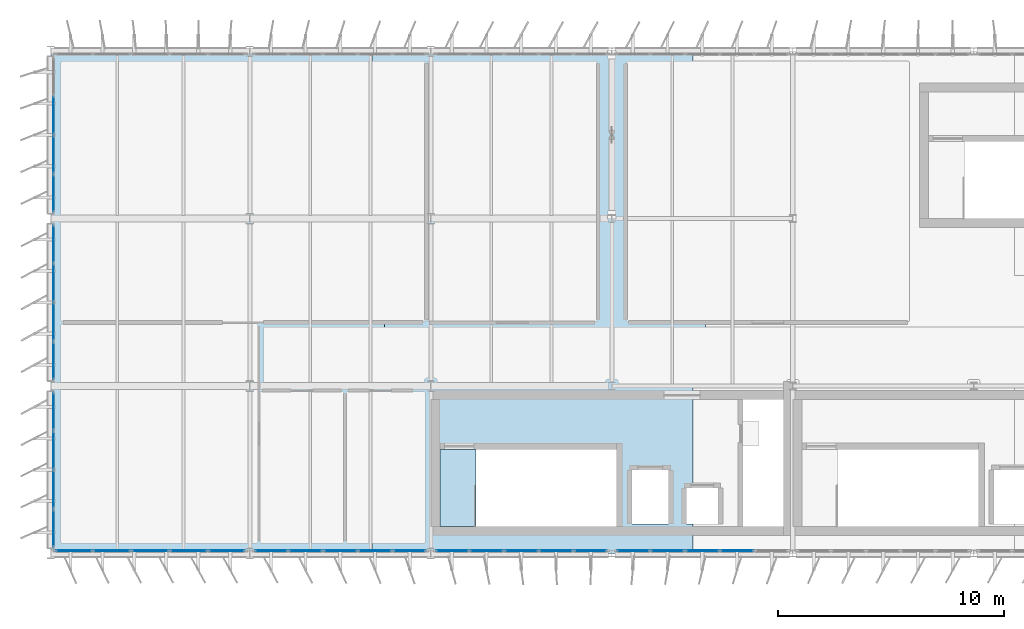
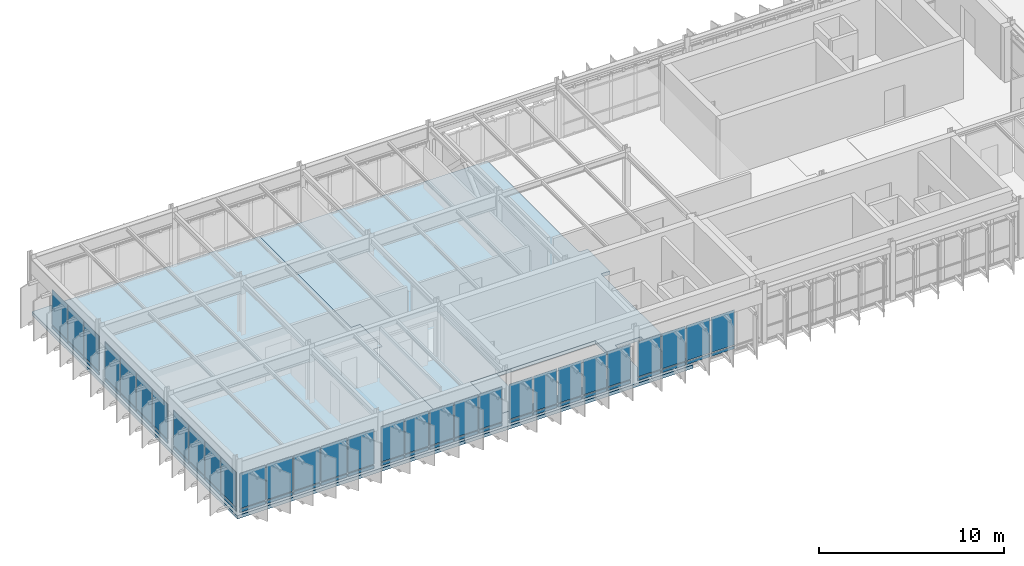
# One storey, part 11 of 20: 60 plates, 3 slabs, 7 elements without a shape of their own.
"""IFC4 building model written with IfcOpenShell, lengths in metres."""

from ifc_helpers import new_model, si_unit, direction, frame, origin, origin_2d, place, context, subcontext, project, spatial, polyline, rectangle, outline, extrude, material, layer, layer_set, type_object, element, aggregate, save


model = new_model("IFC4")

# Units and contexts
model_context = context("Model", 3, precision=1e-05, world=origin(), true_north=direction((0.0, 1.0)))
body_context = subcontext(model_context, "Body", "Model", "MODEL_VIEW")
ifc_project = project(units=[si_unit("LENGTHUNIT", "METRE"), si_unit("AREAUNIT", "SQUARE_METRE"), si_unit("VOLUMEUNIT", "CUBIC_METRE"), si_unit("PLANEANGLEUNIT", "RADIAN"), si_unit("MASSUNIT", "GRAM", prefix="KILO")], contexts=[model_context])

# Site, building, storey
site_placement = place(None, origin())
site = spatial("IfcSite", under=ifc_project, at=site_placement, CompositionType="ELEMENT")
building_placement = place(site_placement, origin())
building = spatial("IfcBuilding", under=site, at=building_placement, Name="Valkorina Park Police Headquarters", CompositionType="ELEMENT")
storey_placement = place(building_placement, frame((0.0, 0.0, 31.10009765625)))
storey = spatial("IfcBuildingStorey", under=building, at=storey_placement, Name="L08", CompositionType="ELEMENT", Elevation=31.10009765625)

# Curtain wall, plates
ifc_material_1 = material(Name="Thermally broken aluminium AW-6060", Category="aluminium")
ifc_layer_1 = layer(ifc_material_1, 0.18994140625)
ifc_layer_set_1 = layer_set([ifc_layer_1], Name="Thermally broken aluminium AW-6060")
curtain_wall_type_1 = type_object("IfcCurtainWallType", Name="CW-V5-7680x2710", PredefinedType="NOTDEFINED", material=ifc_layer_set_1)
curtain_wall_1_placement = place(storey_placement, origin())
curtain_wall_1 = element("IfcCurtainWall", 1, at=curtain_wall_1_placement, inside=storey, type_object=curtain_wall_type_1, Name="L08 Unitised Curtain Wall 159", PredefinedType="NOTDEFINED")
ifc_layer_2 = layer(ifc_material_1, 0.050048828125)
ifc_layer_set_2 = layer_set([ifc_layer_2], Name="Thermally broken aluminium AW-6060")
plate_type_1 = type_object("IfcPlateType", Name="PL-CWP-SPANDREL-50", PredefinedType="CURTAIN_PANEL", material=ifc_layer_set_2)
plate_1_placement = place(storey_placement, frame((30.3359375, 37.1201171875, 0.06982421875), z_axis=(0.0, 0.0, 1.0), x_axis=(-1.0, 0.0, 0.0)))
plate_1 = element("IfcPlate", 2, at=plate_1_placement, type_object=plate_type_1, Name="CW-V5-768-271 panel 2.1", PredefinedType="CURTAIN_PANEL", context=body_context, shape_type="SweptSolid", body=[
    extrude(rectangle(XDim=1.466064453125, YDim=0.028076171875, at=origin_2d()), origin(), (0.0, 0.0, 1.0), 0.195068359375),
])
plate_2_placement = place(storey_placement, frame((28.800048828125, 37.1201171875, 0.06982421875), z_axis=(0.0, 0.0, 1.0), x_axis=(-1.0, 0.0, 0.0)))
plate_2 = element("IfcPlate", 3, at=plate_2_placement, type_object=plate_type_1, Name="CW-V5-768-271 panel 3.1", PredefinedType="CURTAIN_PANEL", context=body_context, shape_type="SweptSolid", body=[
    extrude(rectangle(XDim=1.466064453125, YDim=0.028076171875, at=origin_2d()), origin(), (0.0, 0.0, 1.0), 0.195068359375),
])
plate_3_placement = place(storey_placement, frame((27.263916015625, 37.1201171875, 0.06982421875), z_axis=(0.0, 0.0, 1.0), x_axis=(-1.0, 0.0, 0.0)))
plate_3 = element("IfcPlate", 4, at=plate_3_placement, type_object=plate_type_1, Name="CW-V5-768-271 panel 4.1", PredefinedType="CURTAIN_PANEL", context=body_context, shape_type="SweptSolid", body=[
    extrude(rectangle(XDim=1.466064453125, YDim=0.028076171875, at=origin_2d()), origin(), (0.0, 0.0, 1.0), 0.195068359375),
])
plate_4_placement = place(storey_placement, frame((25.74560546875, 37.1201171875, 0.06982421875), z_axis=(0.0, 0.0, 1.0), x_axis=(-1.0, 0.0, 0.0)))
plate_4 = element("IfcPlate", 5, at=plate_4_placement, type_object=plate_type_1, Name="CW-V5-768-271 panel 5.1", PredefinedType="CURTAIN_PANEL", context=body_context, shape_type="SweptSolid", body=[
    extrude(rectangle(XDim=1.430908203125, YDim=0.028076171875, at=origin_2d()), origin(), (0.0, 0.0, 1.0), 0.195068359375),
])

curtain_wall_2_placement = place(storey_placement, origin())
curtain_wall_2 = element("IfcCurtainWall", 6, at=curtain_wall_2_placement, inside=storey, type_object=curtain_wall_type_1, Name="L08 Unitised Curtain Wall 160", PredefinedType="NOTDEFINED")
plate_5_placement = place(storey_placement, frame((23.8544921875, 37.1201171875, 0.06982421875), z_axis=(0.0, 0.0, 1.0), x_axis=(-1.0, 0.0, 0.0)))
plate_5 = element("IfcPlate", 7, at=plate_5_placement, type_object=plate_type_1, Name="CW-V5-768-271 panel 1.1", PredefinedType="CURTAIN_PANEL", context=body_context, shape_type="SweptSolid", body=[
    extrude(rectangle(XDim=1.430908203125, YDim=0.028076171875, at=origin_2d()), origin(), (0.0, 0.0, 1.0), 0.195068359375),
])
plate_6_placement = place(storey_placement, frame((22.3359375, 37.1201171875, 0.06982421875), z_axis=(0.0, 0.0, 1.0), x_axis=(-1.0, 0.0, 0.0)))
plate_6 = element("IfcPlate", 8, at=plate_6_placement, type_object=plate_type_1, Name="CW-V5-768-271 panel 2.1", PredefinedType="CURTAIN_PANEL", context=body_context, shape_type="SweptSolid", body=[
    extrude(rectangle(XDim=1.466064453125, YDim=0.028076171875, at=origin_2d()), origin(), (0.0, 0.0, 1.0), 0.195068359375),
])
plate_7_placement = place(storey_placement, frame((20.800048828125, 37.1201171875, 0.06982421875), z_axis=(0.0, 0.0, 1.0), x_axis=(-1.0, 0.0, 0.0)))
plate_7 = element("IfcPlate", 9, at=plate_7_placement, type_object=plate_type_1, Name="CW-V5-768-271 panel 3.1", PredefinedType="CURTAIN_PANEL", context=body_context, shape_type="SweptSolid", body=[
    extrude(rectangle(XDim=1.466064453125, YDim=0.028076171875, at=origin_2d()), origin(), (0.0, 0.0, 1.0), 0.195068359375),
])
plate_8_placement = place(storey_placement, frame((19.263916015625, 37.1201171875, 0.06982421875), z_axis=(0.0, 0.0, 1.0), x_axis=(-1.0, 0.0, 0.0)))
plate_8 = element("IfcPlate", 10, at=plate_8_placement, type_object=plate_type_1, Name="CW-V5-768-271 panel 4.1", PredefinedType="CURTAIN_PANEL", context=body_context, shape_type="SweptSolid", body=[
    extrude(rectangle(XDim=1.466064453125, YDim=0.028076171875, at=origin_2d()), origin(), (0.0, 0.0, 1.0), 0.195068359375),
])
plate_9_placement = place(storey_placement, frame((17.74560546875, 37.1201171875, 0.06982421875), z_axis=(0.0, 0.0, 1.0), x_axis=(-1.0, 0.0, 0.0)))
plate_9 = element("IfcPlate", 11, at=plate_9_placement, type_object=plate_type_1, Name="CW-V5-768-271 panel 5.1", PredefinedType="CURTAIN_PANEL", context=body_context, shape_type="SweptSolid", body=[
    extrude(rectangle(XDim=1.430908203125, YDim=0.028076171875, at=origin_2d()), origin(), (0.0, 0.0, 1.0), 0.195068359375),
])

curtain_wall_3_placement = place(storey_placement, origin())
curtain_wall_3 = element("IfcCurtainWall", 12, at=curtain_wall_3_placement, inside=storey, type_object=curtain_wall_type_1, Name="L08 Unitised Curtain Wall 161", PredefinedType="NOTDEFINED")
plate_10_placement = place(storey_placement, frame((15.8544921875, 37.1201171875, 0.06982421875), z_axis=(0.0, 0.0, 1.0), x_axis=(-1.0, 0.0, 0.0)))
plate_10 = element("IfcPlate", 13, at=plate_10_placement, type_object=plate_type_1, Name="CW-V5-768-271 panel 1.1", PredefinedType="CURTAIN_PANEL", context=body_context, shape_type="SweptSolid", body=[
    extrude(rectangle(XDim=1.430908203125, YDim=0.028076171875, at=origin_2d()), origin(), (0.0, 0.0, 1.0), 0.195068359375),
])
plate_11_placement = place(storey_placement, frame((14.3359375, 37.1201171875, 0.06982421875), z_axis=(0.0, 0.0, 1.0), x_axis=(-1.0, 0.0, 0.0)))
plate_11 = element("IfcPlate", 14, at=plate_11_placement, type_object=plate_type_1, Name="CW-V5-768-271 panel 2.1", PredefinedType="CURTAIN_PANEL", context=body_context, shape_type="SweptSolid", body=[
    extrude(rectangle(XDim=1.466064453125, YDim=0.028076171875, at=origin_2d()), origin(), (0.0, 0.0, 1.0), 0.195068359375),
])
plate_12_placement = place(storey_placement, frame((12.800048828125, 37.1201171875, 0.06982421875), z_axis=(0.0, 0.0, 1.0), x_axis=(-1.0, 0.0, 0.0)))
plate_12 = element("IfcPlate", 15, at=plate_12_placement, type_object=plate_type_1, Name="CW-V5-768-271 panel 3.1", PredefinedType="CURTAIN_PANEL", context=body_context, shape_type="SweptSolid", body=[
    extrude(rectangle(XDim=1.466064453125, YDim=0.028076171875, at=origin_2d()), origin(), (0.0, 0.0, 1.0), 0.195068359375),
])
plate_13_placement = place(storey_placement, frame((11.263916015625, 37.1201171875, 0.06982421875), z_axis=(0.0, 0.0, 1.0), x_axis=(-1.0, 0.0, 0.0)))
plate_13 = element("IfcPlate", 16, at=plate_13_placement, type_object=plate_type_1, Name="CW-V5-768-271 panel 4.1", PredefinedType="CURTAIN_PANEL", context=body_context, shape_type="SweptSolid", body=[
    extrude(rectangle(XDim=1.466064453125, YDim=0.028076171875, at=origin_2d()), origin(), (0.0, 0.0, 1.0), 0.195068359375),
])
plate_14_placement = place(storey_placement, frame((9.74560546875, 37.1201171875, 0.06982421875), z_axis=(0.0, 0.0, 1.0), x_axis=(-1.0, 0.0, 0.0)))
plate_14 = element("IfcPlate", 17, at=plate_14_placement, type_object=plate_type_1, Name="CW-V5-768-271 panel 5.1", PredefinedType="CURTAIN_PANEL", context=body_context, shape_type="SweptSolid", body=[
    extrude(rectangle(XDim=1.430908203125, YDim=0.028076171875, at=origin_2d()), origin(), (0.0, 0.0, 1.0), 0.195068359375),
])

ifc_layer_3 = layer(ifc_material_1, 0.18994140625)
ifc_layer_set_3 = layer_set([ifc_layer_3], Name="Thermally broken aluminium AW-6060")
curtain_wall_type_2 = type_object("IfcCurtainWallType", Name="CW-V5-8480x2710", PredefinedType="NOTDEFINED", material=ifc_layer_set_3)
curtain_wall_4_placement = place(storey_placement, origin())
curtain_wall_4 = element("IfcCurtainWall", 18, at=curtain_wall_4_placement, inside=storey, type_object=curtain_wall_type_2, Name="L08 Unitised Curtain Wall 162", PredefinedType="NOTDEFINED")
plate_15_placement = place(storey_placement, frame((7.7744140625, 37.1201171875, 0.06982421875), z_axis=(0.0, 0.0, 1.0), x_axis=(-1.0, 0.0, 0.0)))
plate_15 = element("IfcPlate", 19, at=plate_15_placement, type_object=plate_type_1, Name="CW-V5-848-271 panel 1.1", PredefinedType="CURTAIN_PANEL", context=body_context, shape_type="SweptSolid", body=[
    extrude(rectangle(XDim=1.591064453125, YDim=0.028076171875, at=origin_2d()), origin(), (0.0, 0.0, 1.0), 0.195068359375),
])
plate_16_placement = place(storey_placement, frame((6.095947265625, 37.1201171875, 0.06982421875), z_axis=(0.0, 0.0, 1.0), x_axis=(-1.0, 0.0, 0.0)))
plate_16 = element("IfcPlate", 20, at=plate_16_placement, type_object=plate_type_1, Name="CW-V5-848-271 panel 2.1", PredefinedType="CURTAIN_PANEL", context=body_context, shape_type="SweptSolid", body=[
    extrude(rectangle(XDim=1.6259765625, YDim=0.028076171875, at=origin_2d()), origin(), (0.0, 0.0, 1.0), 0.195068359375),
])
plate_17_placement = place(storey_placement, frame((4.39990234375, 37.1201171875, 0.06982421875), z_axis=(0.0, 0.0, 1.0), x_axis=(-1.0, 0.0, 0.0)))
plate_17 = element("IfcPlate", 21, at=plate_17_placement, type_object=plate_type_1, Name="CW-V5-848-271 panel 3.1", PredefinedType="CURTAIN_PANEL", context=body_context, shape_type="SweptSolid", body=[
    extrude(rectangle(XDim=1.6259765625, YDim=0.028076171875, at=origin_2d()), origin(), (0.0, 0.0, 1.0), 0.195068359375),
])
plate_18_placement = place(storey_placement, frame((2.7041015625, 37.1201171875, 0.06982421875), z_axis=(0.0, 0.0, 1.0), x_axis=(-1.0, 0.0, 0.0)))
plate_18 = element("IfcPlate", 22, at=plate_18_placement, type_object=plate_type_1, Name="CW-V5-848-271 panel 4.1", PredefinedType="CURTAIN_PANEL", context=body_context, shape_type="SweptSolid", body=[
    extrude(rectangle(XDim=1.6259765625, YDim=0.028076171875, at=origin_2d()), origin(), (0.0, 0.0, 1.0), 0.195068359375),
])
plate_19_placement = place(storey_placement, frame((1.025390625, 37.1201171875, 0.06982421875), z_axis=(0.0, 0.0, 1.0), x_axis=(-1.0, 0.0, 0.0)))
plate_19 = element("IfcPlate", 23, at=plate_19_placement, type_object=plate_type_1, Name="CW-V5-848-271 panel 5.1", PredefinedType="CURTAIN_PANEL", context=body_context, shape_type="SweptSolid", body=[
    extrude(rectangle(XDim=1.591064453125, YDim=0.028076171875, at=origin_2d()), origin(), (0.0, 0.0, 1.0), 0.195068359375),
])

ifc_layer_4 = layer(ifc_material_1, 0.18994140625)
ifc_layer_set_4 = layer_set([ifc_layer_4], Name="Thermally broken aluminium AW-6060")
curtain_wall_type_3 = type_object("IfcCurtainWallType", Name="CW-V5-6930x2710", PredefinedType="NOTDEFINED", material=ifc_layer_set_4)
curtain_wall_5_placement = place(storey_placement, origin())
curtain_wall_5 = element("IfcCurtainWall", 24, at=curtain_wall_5_placement, inside=storey, type_object=curtain_wall_type_3, Name="L08 Unitised Curtain Wall 163", PredefinedType="NOTDEFINED")
plate_20_placement = place(storey_placement, frame((0.1201171875, 38.11865234375, 0.06982421875), z_axis=(0.0, 0.0, 1.0), x_axis=(0.0, 1.0, 0.0)))
plate_20 = element("IfcPlate", 25, at=plate_20_placement, type_object=plate_type_1, Name="CW-V5-693-271 panel 1.1", PredefinedType="CURTAIN_PANEL", context=body_context, shape_type="SweptSolid", body=[
    extrude(rectangle(XDim=1.62744140625, YDim=0.028076171875, at=origin_2d()), origin(), (0.0, 0.0, 1.0), 0.195068359375),
])
plate_21_placement = place(storey_placement, frame((0.1201171875, 39.833740234375, 0.06982421875), z_axis=(0.0, 0.0, 1.0), x_axis=(0.0, 1.0, 0.0)))
plate_21 = element("IfcPlate", 26, at=plate_21_placement, type_object=plate_type_1, Name="CW-V5-693-271 panel 2.1", PredefinedType="CURTAIN_PANEL", context=body_context, shape_type="SweptSolid", body=[
    extrude(rectangle(XDim=1.66259765625, YDim=0.028076171875, at=origin_2d()), origin(), (0.0, 0.0, 1.0), 0.195068359375),
])
plate_22_placement = place(storey_placement, frame((0.1201171875, 41.566162109375, 0.06982421875), z_axis=(0.0, 0.0, 1.0), x_axis=(0.0, 1.0, 0.0)))
plate_22 = element("IfcPlate", 27, at=plate_22_placement, type_object=plate_type_1, Name="CW-V5-693-271 panel 3.1", PredefinedType="CURTAIN_PANEL", context=body_context, shape_type="SweptSolid", body=[
    extrude(rectangle(XDim=1.66259765625, YDim=0.028076171875, at=origin_2d()), origin(), (0.0, 0.0, 1.0), 0.195068359375),
])
plate_23_placement = place(storey_placement, frame((0.1201171875, 43.28125, 0.06982421875), z_axis=(0.0, 0.0, 1.0), x_axis=(0.0, 1.0, 0.0)))
plate_23 = element("IfcPlate", 28, at=plate_23_placement, type_object=plate_type_1, Name="CW-V5-693-271 panel 4.1", PredefinedType="CURTAIN_PANEL", context=body_context, shape_type="SweptSolid", body=[
    extrude(rectangle(XDim=1.62744140625, YDim=0.028076171875, at=origin_2d()), origin(), (0.0, 0.0, 1.0), 0.195068359375),
])

curtain_wall_6_placement = place(storey_placement, origin())
curtain_wall_6 = element("IfcCurtainWall", 29, at=curtain_wall_6_placement, inside=storey, type_object=curtain_wall_type_3, Name="L08 Unitised Curtain Wall 164", PredefinedType="NOTDEFINED")
plate_24_placement = place(storey_placement, frame((0.1201171875, 45.518798828125, 0.06982421875), z_axis=(0.0, 0.0, 1.0), x_axis=(0.0, 1.0, 0.0)))
plate_24 = element("IfcPlate", 30, at=plate_24_placement, type_object=plate_type_1, Name="CW-V5-693-271 panel 1.1", PredefinedType="CURTAIN_PANEL", context=body_context, shape_type="SweptSolid", body=[
    extrude(rectangle(XDim=1.62744140625, YDim=0.028076171875, at=origin_2d()), origin(), (0.0, 0.0, 1.0), 0.195068359375),
])
plate_25_placement = place(storey_placement, frame((0.1201171875, 47.233642578125, 0.06982421875), z_axis=(0.0, 0.0, 1.0), x_axis=(0.0, 1.0, 0.0)))
plate_25 = element("IfcPlate", 31, at=plate_25_placement, type_object=plate_type_1, Name="CW-V5-693-271 panel 2.1", PredefinedType="CURTAIN_PANEL", context=body_context, shape_type="SweptSolid", body=[
    extrude(rectangle(XDim=1.66259765625, YDim=0.028076171875, at=origin_2d()), origin(), (0.0, 0.0, 1.0), 0.195068359375),
])
plate_26_placement = place(storey_placement, frame((0.1201171875, 48.96630859375, 0.06982421875), z_axis=(0.0, 0.0, 1.0), x_axis=(0.0, 1.0, 0.0)))
plate_26 = element("IfcPlate", 32, at=plate_26_placement, type_object=plate_type_1, Name="CW-V5-693-271 panel 3.1", PredefinedType="CURTAIN_PANEL", context=body_context, shape_type="SweptSolid", body=[
    extrude(rectangle(XDim=1.66259765625, YDim=0.028076171875, at=origin_2d()), origin(), (0.0, 0.0, 1.0), 0.195068359375),
])
plate_27_placement = place(storey_placement, frame((0.1201171875, 50.68115234375, 0.06982421875), z_axis=(0.0, 0.0, 1.0), x_axis=(0.0, 1.0, 0.0)))
plate_27 = element("IfcPlate", 33, at=plate_27_placement, type_object=plate_type_1, Name="CW-V5-693-271 panel 4.1", PredefinedType="CURTAIN_PANEL", context=body_context, shape_type="SweptSolid", body=[
    extrude(rectangle(XDim=1.62744140625, YDim=0.028076171875, at=origin_2d()), origin(), (0.0, 0.0, 1.0), 0.195068359375),
])

curtain_wall_7_placement = place(storey_placement, origin())
curtain_wall_7 = element("IfcCurtainWall", 34, at=curtain_wall_7_placement, inside=storey, type_object=curtain_wall_type_3, Name="L08 Unitised Curtain Wall 165", PredefinedType="NOTDEFINED")
plate_28_placement = place(storey_placement, frame((0.1201171875, 52.918701171875, 0.06982421875), z_axis=(0.0, 0.0, 1.0), x_axis=(0.0, 1.0, 0.0)))
plate_28 = element("IfcPlate", 35, at=plate_28_placement, type_object=plate_type_1, Name="CW-V5-693-271 panel 1.1", PredefinedType="CURTAIN_PANEL", context=body_context, shape_type="SweptSolid", body=[
    extrude(rectangle(XDim=1.62744140625, YDim=0.028076171875, at=origin_2d()), origin(), (0.0, 0.0, 1.0), 0.195068359375),
])
plate_29_placement = place(storey_placement, frame((0.1201171875, 54.6337890625, 0.06982421875), z_axis=(0.0, 0.0, 1.0), x_axis=(0.0, 1.0, 0.0)))
plate_29 = element("IfcPlate", 36, at=plate_29_placement, type_object=plate_type_1, Name="CW-V5-693-271 panel 2.1", PredefinedType="CURTAIN_PANEL", context=body_context, shape_type="SweptSolid", body=[
    extrude(rectangle(XDim=1.66259765625, YDim=0.028076171875, at=origin_2d()), origin(), (0.0, 0.0, 1.0), 0.195068359375),
])
plate_30_placement = place(storey_placement, frame((0.1201171875, 56.3662109375, 0.06982421875), z_axis=(0.0, 0.0, 1.0), x_axis=(0.0, 1.0, 0.0)))
plate_30 = element("IfcPlate", 37, at=plate_30_placement, type_object=plate_type_1, Name="CW-V5-693-271 panel 3.1", PredefinedType="CURTAIN_PANEL", context=body_context, shape_type="SweptSolid", body=[
    extrude(rectangle(XDim=1.66259765625, YDim=0.028076171875, at=origin_2d()), origin(), (0.0, 0.0, 1.0), 0.195068359375),
])

# Plate
ifc_material_2 = material(Name="Triple low-E insulated glazing", Category="glass")
ifc_layer_5 = layer(ifc_material_2, 0.028076171875)
ifc_layer_set_5 = layer_set([ifc_layer_5], Name="Triple low-E insulated glazing")
plate_type_2 = type_object("IfcPlateType", Name="PL-CWP-VISION-28", PredefinedType="CURTAIN_PANEL", material=ifc_layer_set_5)
plate_31_placement = place(storey_placement, frame((30.3359375, 37.1201171875, 0.3349609375), z_axis=(0.0, 0.0, 1.0), x_axis=(-1.0, 0.0, 0.0)))
plate_31 = element("IfcPlate", 38, at=plate_31_placement, type_object=plate_type_2, Name="CW-V5-768-271 panel 2.2", PredefinedType="CURTAIN_PANEL", context=body_context, shape_type="SweptSolid", body=[
    extrude(rectangle(XDim=1.466064453125, YDim=0.028076171875, at=origin_2d()), origin(), (0.0, 0.0, 1.0), 2.304931640625),
])

plate_32_placement = place(storey_placement, frame((28.800048828125, 37.1201171875, 0.3349609375), z_axis=(0.0, 0.0, 1.0), x_axis=(-1.0, 0.0, 0.0)))
plate_32 = element("IfcPlate", 39, at=plate_32_placement, type_object=plate_type_2, Name="CW-V5-768-271 panel 3.2", PredefinedType="CURTAIN_PANEL", context=body_context, shape_type="SweptSolid", body=[
    extrude(rectangle(XDim=1.466064453125, YDim=0.028076171875, at=origin_2d()), origin(), (0.0, 0.0, 1.0), 2.304931640625),
])

plate_33_placement = place(storey_placement, frame((27.263916015625, 37.1201171875, 0.3349609375), z_axis=(0.0, 0.0, 1.0), x_axis=(-1.0, 0.0, 0.0)))
plate_33 = element("IfcPlate", 40, at=plate_33_placement, type_object=plate_type_2, Name="CW-V5-768-271 panel 4.2", PredefinedType="CURTAIN_PANEL", context=body_context, shape_type="SweptSolid", body=[
    extrude(rectangle(XDim=1.466064453125, YDim=0.028076171875, at=origin_2d()), origin(), (0.0, 0.0, 1.0), 2.304931640625),
])

plate_34_placement = place(storey_placement, frame((25.74560546875, 37.1201171875, 0.3349609375), z_axis=(0.0, 0.0, 1.0), x_axis=(-1.0, 0.0, 0.0)))
plate_34 = element("IfcPlate", 41, at=plate_34_placement, type_object=plate_type_2, Name="CW-V5-768-271 panel 5.2", PredefinedType="CURTAIN_PANEL", context=body_context, shape_type="SweptSolid", body=[
    extrude(rectangle(XDim=1.430908203125, YDim=0.028076171875, at=origin_2d()), origin(), (0.0, 0.0, 1.0), 2.304931640625),
])

aggregate(curtain_wall_1, [plate_1, plate_31, plate_2, plate_32, plate_3, plate_33, plate_4, plate_34])

plate_35_placement = place(storey_placement, frame((23.8544921875, 37.1201171875, 0.3349609375), z_axis=(0.0, 0.0, 1.0), x_axis=(-1.0, 0.0, 0.0)))
plate_35 = element("IfcPlate", 42, at=plate_35_placement, type_object=plate_type_2, Name="CW-V5-768-271 panel 1.2", PredefinedType="CURTAIN_PANEL", context=body_context, shape_type="SweptSolid", body=[
    extrude(rectangle(XDim=1.430908203125, YDim=0.028076171875, at=origin_2d()), origin(), (0.0, 0.0, 1.0), 2.304931640625),
])

plate_36_placement = place(storey_placement, frame((22.3359375, 37.1201171875, 0.3349609375), z_axis=(0.0, 0.0, 1.0), x_axis=(-1.0, 0.0, 0.0)))
plate_36 = element("IfcPlate", 43, at=plate_36_placement, type_object=plate_type_2, Name="CW-V5-768-271 panel 2.2", PredefinedType="CURTAIN_PANEL", context=body_context, shape_type="SweptSolid", body=[
    extrude(rectangle(XDim=1.466064453125, YDim=0.028076171875, at=origin_2d()), origin(), (0.0, 0.0, 1.0), 2.304931640625),
])

plate_37_placement = place(storey_placement, frame((20.800048828125, 37.1201171875, 0.3349609375), z_axis=(0.0, 0.0, 1.0), x_axis=(-1.0, 0.0, 0.0)))
plate_37 = element("IfcPlate", 44, at=plate_37_placement, type_object=plate_type_2, Name="CW-V5-768-271 panel 3.2", PredefinedType="CURTAIN_PANEL", context=body_context, shape_type="SweptSolid", body=[
    extrude(rectangle(XDim=1.466064453125, YDim=0.028076171875, at=origin_2d()), origin(), (0.0, 0.0, 1.0), 2.304931640625),
])

plate_38_placement = place(storey_placement, frame((19.263916015625, 37.1201171875, 0.3349609375), z_axis=(0.0, 0.0, 1.0), x_axis=(-1.0, 0.0, 0.0)))
plate_38 = element("IfcPlate", 45, at=plate_38_placement, type_object=plate_type_2, Name="CW-V5-768-271 panel 4.2", PredefinedType="CURTAIN_PANEL", context=body_context, shape_type="SweptSolid", body=[
    extrude(rectangle(XDim=1.466064453125, YDim=0.028076171875, at=origin_2d()), origin(), (0.0, 0.0, 1.0), 2.304931640625),
])

plate_39_placement = place(storey_placement, frame((17.74560546875, 37.1201171875, 0.3349609375), z_axis=(0.0, 0.0, 1.0), x_axis=(-1.0, 0.0, 0.0)))
plate_39 = element("IfcPlate", 46, at=plate_39_placement, type_object=plate_type_2, Name="CW-V5-768-271 panel 5.2", PredefinedType="CURTAIN_PANEL", context=body_context, shape_type="SweptSolid", body=[
    extrude(rectangle(XDim=1.430908203125, YDim=0.028076171875, at=origin_2d()), origin(), (0.0, 0.0, 1.0), 2.304931640625),
])

aggregate(curtain_wall_2, [plate_5, plate_35, plate_6, plate_36, plate_7, plate_37, plate_8, plate_38, plate_9, plate_39])

plate_40_placement = place(storey_placement, frame((15.8544921875, 37.1201171875, 0.3349609375), z_axis=(0.0, 0.0, 1.0), x_axis=(-1.0, 0.0, 0.0)))
plate_40 = element("IfcPlate", 47, at=plate_40_placement, type_object=plate_type_2, Name="CW-V5-768-271 panel 1.2", PredefinedType="CURTAIN_PANEL", context=body_context, shape_type="SweptSolid", body=[
    extrude(rectangle(XDim=1.430908203125, YDim=0.028076171875, at=origin_2d()), origin(), (0.0, 0.0, 1.0), 2.304931640625),
])

plate_41_placement = place(storey_placement, frame((14.3359375, 37.1201171875, 0.3349609375), z_axis=(0.0, 0.0, 1.0), x_axis=(-1.0, 0.0, 0.0)))
plate_41 = element("IfcPlate", 48, at=plate_41_placement, type_object=plate_type_2, Name="CW-V5-768-271 panel 2.2", PredefinedType="CURTAIN_PANEL", context=body_context, shape_type="SweptSolid", body=[
    extrude(rectangle(XDim=1.466064453125, YDim=0.028076171875, at=origin_2d()), origin(), (0.0, 0.0, 1.0), 2.304931640625),
])

plate_42_placement = place(storey_placement, frame((12.800048828125, 37.1201171875, 0.3349609375), z_axis=(0.0, 0.0, 1.0), x_axis=(-1.0, 0.0, 0.0)))
plate_42 = element("IfcPlate", 49, at=plate_42_placement, type_object=plate_type_2, Name="CW-V5-768-271 panel 3.2", PredefinedType="CURTAIN_PANEL", context=body_context, shape_type="SweptSolid", body=[
    extrude(rectangle(XDim=1.466064453125, YDim=0.028076171875, at=origin_2d()), origin(), (0.0, 0.0, 1.0), 2.304931640625),
])

plate_43_placement = place(storey_placement, frame((11.263916015625, 37.1201171875, 0.3349609375), z_axis=(0.0, 0.0, 1.0), x_axis=(-1.0, 0.0, 0.0)))
plate_43 = element("IfcPlate", 50, at=plate_43_placement, type_object=plate_type_2, Name="CW-V5-768-271 panel 4.2", PredefinedType="CURTAIN_PANEL", context=body_context, shape_type="SweptSolid", body=[
    extrude(rectangle(XDim=1.466064453125, YDim=0.028076171875, at=origin_2d()), origin(), (0.0, 0.0, 1.0), 2.304931640625),
])

plate_44_placement = place(storey_placement, frame((9.74560546875, 37.1201171875, 0.3349609375), z_axis=(0.0, 0.0, 1.0), x_axis=(-1.0, 0.0, 0.0)))
plate_44 = element("IfcPlate", 51, at=plate_44_placement, type_object=plate_type_2, Name="CW-V5-768-271 panel 5.2", PredefinedType="CURTAIN_PANEL", context=body_context, shape_type="SweptSolid", body=[
    extrude(rectangle(XDim=1.430908203125, YDim=0.028076171875, at=origin_2d()), origin(), (0.0, 0.0, 1.0), 2.304931640625),
])

aggregate(curtain_wall_3, [plate_10, plate_40, plate_11, plate_41, plate_12, plate_42, plate_13, plate_43, plate_14, plate_44])

plate_45_placement = place(storey_placement, frame((7.7744140625, 37.1201171875, 0.3349609375), z_axis=(0.0, 0.0, 1.0), x_axis=(-1.0, 0.0, 0.0)))
plate_45 = element("IfcPlate", 52, at=plate_45_placement, type_object=plate_type_2, Name="CW-V5-848-271 panel 1.2", PredefinedType="CURTAIN_PANEL", context=body_context, shape_type="SweptSolid", body=[
    extrude(rectangle(XDim=1.591064453125, YDim=0.028076171875, at=origin_2d()), origin(), (0.0, 0.0, 1.0), 2.304931640625),
])

plate_46_placement = place(storey_placement, frame((6.095947265625, 37.1201171875, 0.3349609375), z_axis=(0.0, 0.0, 1.0), x_axis=(-1.0, 0.0, 0.0)))
plate_46 = element("IfcPlate", 53, at=plate_46_placement, type_object=plate_type_2, Name="CW-V5-848-271 panel 2.2", PredefinedType="CURTAIN_PANEL", context=body_context, shape_type="SweptSolid", body=[
    extrude(rectangle(XDim=1.6259765625, YDim=0.028076171875, at=origin_2d()), origin(), (0.0, 0.0, 1.0), 2.304931640625),
])

plate_47_placement = place(storey_placement, frame((4.39990234375, 37.1201171875, 0.3349609375), z_axis=(0.0, 0.0, 1.0), x_axis=(-1.0, 0.0, 0.0)))
plate_47 = element("IfcPlate", 54, at=plate_47_placement, type_object=plate_type_2, Name="CW-V5-848-271 panel 3.2", PredefinedType="CURTAIN_PANEL", context=body_context, shape_type="SweptSolid", body=[
    extrude(rectangle(XDim=1.6259765625, YDim=0.028076171875, at=origin_2d()), origin(), (0.0, 0.0, 1.0), 2.304931640625),
])

plate_48_placement = place(storey_placement, frame((2.7041015625, 37.1201171875, 0.3349609375), z_axis=(0.0, 0.0, 1.0), x_axis=(-1.0, 0.0, 0.0)))
plate_48 = element("IfcPlate", 55, at=plate_48_placement, type_object=plate_type_2, Name="CW-V5-848-271 panel 4.2", PredefinedType="CURTAIN_PANEL", context=body_context, shape_type="SweptSolid", body=[
    extrude(rectangle(XDim=1.6259765625, YDim=0.028076171875, at=origin_2d()), origin(), (0.0, 0.0, 1.0), 2.304931640625),
])

plate_49_placement = place(storey_placement, frame((1.025390625, 37.1201171875, 0.3349609375), z_axis=(0.0, 0.0, 1.0), x_axis=(-1.0, 0.0, 0.0)))
plate_49 = element("IfcPlate", 56, at=plate_49_placement, type_object=plate_type_2, Name="CW-V5-848-271 panel 5.2", PredefinedType="CURTAIN_PANEL", context=body_context, shape_type="SweptSolid", body=[
    extrude(rectangle(XDim=1.591064453125, YDim=0.028076171875, at=origin_2d()), origin(), (0.0, 0.0, 1.0), 2.304931640625),
])

aggregate(curtain_wall_4, [plate_15, plate_45, plate_16, plate_46, plate_17, plate_47, plate_18, plate_48, plate_19, plate_49])

plate_50_placement = place(storey_placement, frame((0.1201171875, 38.11865234375, 0.3349609375), z_axis=(0.0, 0.0, 1.0), x_axis=(0.0, 1.0, 0.0)))
plate_50 = element("IfcPlate", 57, at=plate_50_placement, type_object=plate_type_2, Name="CW-V5-693-271 panel 1.2", PredefinedType="CURTAIN_PANEL", context=body_context, shape_type="SweptSolid", body=[
    extrude(rectangle(XDim=1.62744140625, YDim=0.028076171875, at=origin_2d()), origin(), (0.0, 0.0, 1.0), 2.304931640625),
])

plate_51_placement = place(storey_placement, frame((0.1201171875, 39.833740234375, 0.3349609375), z_axis=(0.0, 0.0, 1.0), x_axis=(0.0, 1.0, 0.0)))
plate_51 = element("IfcPlate", 58, at=plate_51_placement, type_object=plate_type_2, Name="CW-V5-693-271 panel 2.2", PredefinedType="CURTAIN_PANEL", context=body_context, shape_type="SweptSolid", body=[
    extrude(rectangle(XDim=1.66259765625, YDim=0.028076171875, at=origin_2d()), origin(), (0.0, 0.0, 1.0), 2.304931640625),
])

plate_52_placement = place(storey_placement, frame((0.1201171875, 41.566162109375, 0.3349609375), z_axis=(0.0, 0.0, 1.0), x_axis=(0.0, 1.0, 0.0)))
plate_52 = element("IfcPlate", 59, at=plate_52_placement, type_object=plate_type_2, Name="CW-V5-693-271 panel 3.2", PredefinedType="CURTAIN_PANEL", context=body_context, shape_type="SweptSolid", body=[
    extrude(rectangle(XDim=1.66259765625, YDim=0.028076171875, at=origin_2d()), origin(), (0.0, 0.0, 1.0), 2.304931640625),
])

plate_53_placement = place(storey_placement, frame((0.1201171875, 43.28125, 0.3349609375), z_axis=(0.0, 0.0, 1.0), x_axis=(0.0, 1.0, 0.0)))
plate_53 = element("IfcPlate", 60, at=plate_53_placement, type_object=plate_type_2, Name="CW-V5-693-271 panel 4.2", PredefinedType="CURTAIN_PANEL", context=body_context, shape_type="SweptSolid", body=[
    extrude(rectangle(XDim=1.62744140625, YDim=0.028076171875, at=origin_2d()), origin(), (0.0, 0.0, 1.0), 2.304931640625),
])

aggregate(curtain_wall_5, [plate_20, plate_50, plate_21, plate_51, plate_22, plate_52, plate_23, plate_53])

plate_54_placement = place(storey_placement, frame((0.1201171875, 45.518798828125, 0.3349609375), z_axis=(0.0, 0.0, 1.0), x_axis=(0.0, 1.0, 0.0)))
plate_54 = element("IfcPlate", 61, at=plate_54_placement, type_object=plate_type_2, Name="CW-V5-693-271 panel 1.2", PredefinedType="CURTAIN_PANEL", context=body_context, shape_type="SweptSolid", body=[
    extrude(rectangle(XDim=1.62744140625, YDim=0.028076171875, at=origin_2d()), origin(), (0.0, 0.0, 1.0), 2.304931640625),
])

plate_55_placement = place(storey_placement, frame((0.1201171875, 47.233642578125, 0.3349609375), z_axis=(0.0, 0.0, 1.0), x_axis=(0.0, 1.0, 0.0)))
plate_55 = element("IfcPlate", 62, at=plate_55_placement, type_object=plate_type_2, Name="CW-V5-693-271 panel 2.2", PredefinedType="CURTAIN_PANEL", context=body_context, shape_type="SweptSolid", body=[
    extrude(rectangle(XDim=1.66259765625, YDim=0.028076171875, at=origin_2d()), origin(), (0.0, 0.0, 1.0), 2.304931640625),
])

plate_56_placement = place(storey_placement, frame((0.1201171875, 48.96630859375, 0.3349609375), z_axis=(0.0, 0.0, 1.0), x_axis=(0.0, 1.0, 0.0)))
plate_56 = element("IfcPlate", 63, at=plate_56_placement, type_object=plate_type_2, Name="CW-V5-693-271 panel 3.2", PredefinedType="CURTAIN_PANEL", context=body_context, shape_type="SweptSolid", body=[
    extrude(rectangle(XDim=1.66259765625, YDim=0.028076171875, at=origin_2d()), origin(), (0.0, 0.0, 1.0), 2.304931640625),
])

plate_57_placement = place(storey_placement, frame((0.1201171875, 50.68115234375, 0.3349609375), z_axis=(0.0, 0.0, 1.0), x_axis=(0.0, 1.0, 0.0)))
plate_57 = element("IfcPlate", 64, at=plate_57_placement, type_object=plate_type_2, Name="CW-V5-693-271 panel 4.2", PredefinedType="CURTAIN_PANEL", context=body_context, shape_type="SweptSolid", body=[
    extrude(rectangle(XDim=1.62744140625, YDim=0.028076171875, at=origin_2d()), origin(), (0.0, 0.0, 1.0), 2.304931640625),
])

aggregate(curtain_wall_6, [plate_24, plate_54, plate_25, plate_55, plate_26, plate_56, plate_27, plate_57])

plate_58_placement = place(storey_placement, frame((0.1201171875, 52.918701171875, 0.3349609375), z_axis=(0.0, 0.0, 1.0), x_axis=(0.0, 1.0, 0.0)))
plate_58 = element("IfcPlate", 65, at=plate_58_placement, type_object=plate_type_2, Name="CW-V5-693-271 panel 1.2", PredefinedType="CURTAIN_PANEL", context=body_context, shape_type="SweptSolid", body=[
    extrude(rectangle(XDim=1.62744140625, YDim=0.028076171875, at=origin_2d()), origin(), (0.0, 0.0, 1.0), 2.304931640625),
])

plate_59_placement = place(storey_placement, frame((0.1201171875, 54.6337890625, 0.3349609375), z_axis=(0.0, 0.0, 1.0), x_axis=(0.0, 1.0, 0.0)))
plate_59 = element("IfcPlate", 66, at=plate_59_placement, type_object=plate_type_2, Name="CW-V5-693-271 panel 2.2", PredefinedType="CURTAIN_PANEL", context=body_context, shape_type="SweptSolid", body=[
    extrude(rectangle(XDim=1.66259765625, YDim=0.028076171875, at=origin_2d()), origin(), (0.0, 0.0, 1.0), 2.304931640625),
])

plate_60_placement = place(storey_placement, frame((0.1201171875, 56.3662109375, 0.3349609375), z_axis=(0.0, 0.0, 1.0), x_axis=(0.0, 1.0, 0.0)))
plate_60 = element("IfcPlate", 67, at=plate_60_placement, type_object=plate_type_2, Name="CW-V5-693-271 panel 3.2", PredefinedType="CURTAIN_PANEL", context=body_context, shape_type="SweptSolid", body=[
    extrude(rectangle(XDim=1.66259765625, YDim=0.028076171875, at=origin_2d()), origin(), (0.0, 0.0, 1.0), 2.304931640625),
])

aggregate(curtain_wall_7, [plate_28, plate_58, plate_29, plate_59, plate_30, plate_60])

# Slabs
ifc_material_3 = material(Name="Concrete C35/45", Category="concrete")
ifc_layer_6 = layer(ifc_material_3, 0.219970703125)
ifc_layer_set_6 = layer_set([ifc_layer_6], Name="Concrete C35/45")
slab_type_1 = type_object("IfcSlabType", Name="SL-COMP-OFF-150", PredefinedType="FLOOR", material=ifc_layer_set_6)
slab_1_placement = place(storey_placement, frame((0.0, 0.0, -0.22021484375)))
element("IfcSlab", 68, at=slab_1_placement, inside=storey, type_object=slab_type_1, Name="L08 Structural Floor Slab 111", PredefinedType="FLOOR", context=body_context, shape_type="SweptSolid", body=[
    extrude(outline(polyline([(14.75, 49.2958984375), (14.199951171875, 49.2958984375), (14.199951171875, 59.19189453125), (0.0, 59.19189453125), (0.0, 37.0), (14.199951171875, 37.0), (14.199951171875, 46.89599609375), (14.75, 46.89599609375), (14.75, 49.2958984375)])), origin(), (0.0, 0.0, 1.0), 0.22021484375),
])
slab_2_placement = place(storey_placement, frame((0.0, 0.0, -0.22021484375)))
element("IfcSlab", 69, at=slab_2_placement, inside=storey, type_object=slab_type_1, Name="L08 Structural Floor Slab 112", PredefinedType="FLOOR", context=body_context, shape_type="SweptSolid", body=[
    extrude(outline(polyline([(28.949951171875, 49.2958984375), (28.39990234375, 49.2958984375), (28.39990234375, 59.19189453125), (14.199951171875, 59.19189453125), (14.199951171875, 49.2958984375), (14.75, 49.2958984375), (14.75, 46.89599609375), (14.199951171875, 46.89599609375), (14.199951171875, 37.0), (28.39990234375, 37.0), (28.39990234375, 38.300048828125), (28.10009765625, 38.300048828125), (28.10009765625, 39.89990234375), (28.39990234375, 39.89990234375), (28.39990234375, 46.89599609375), (28.949951171875, 46.89599609375), (28.949951171875, 49.2958984375)]), holes=[polyline([(27.300048828125, 40.699951171875), (27.300048828125, 38.300048828125), (25.699951171875, 38.300048828125), (25.699951171875, 40.699951171875), (27.300048828125, 40.699951171875)]), polyline([(17.199951171875, 38.199951171875), (17.199951171875, 41.60009765625), (25.0, 41.60009765625), (25.0, 38.199951171875), (17.199951171875, 38.199951171875)])]), origin(), (0.0, 0.0, 1.0), 0.22021484375),
])
ifc_material_4 = material(Name="Concrete C40/50", Category="concrete")
ifc_layer_7 = layer(ifc_material_4, 0.300048828125)
ifc_layer_set_7 = layer_set([ifc_layer_7], Name="Concrete C40/50")
slab_type_2 = type_object("IfcSlabType", Name="SL-VAULT-300", PredefinedType="FLOOR", material=ifc_layer_set_7)
slab_3_placement = place(storey_placement, frame((0.0, 0.0, -0.300048828125)))
element("IfcSlab", 70, at=slab_3_placement, inside=storey, type_object=slab_type_2, Name="L08 Core C1 Structural Floor Landing Slab", PredefinedType="FLOOR", context=body_context, shape_type="SweptSolid", body=[
    extrude(outline(polyline([(17.199951171875, 38.199951171875), (18.800048828125, 38.199951171875), (18.800048828125, 41.60009765625), (17.199951171875, 41.60009765625), (17.199951171875, 38.199951171875)])), origin(), (0.0, 0.0, 1.0), 0.300048828125),
])

save(model, "model.ifc")
